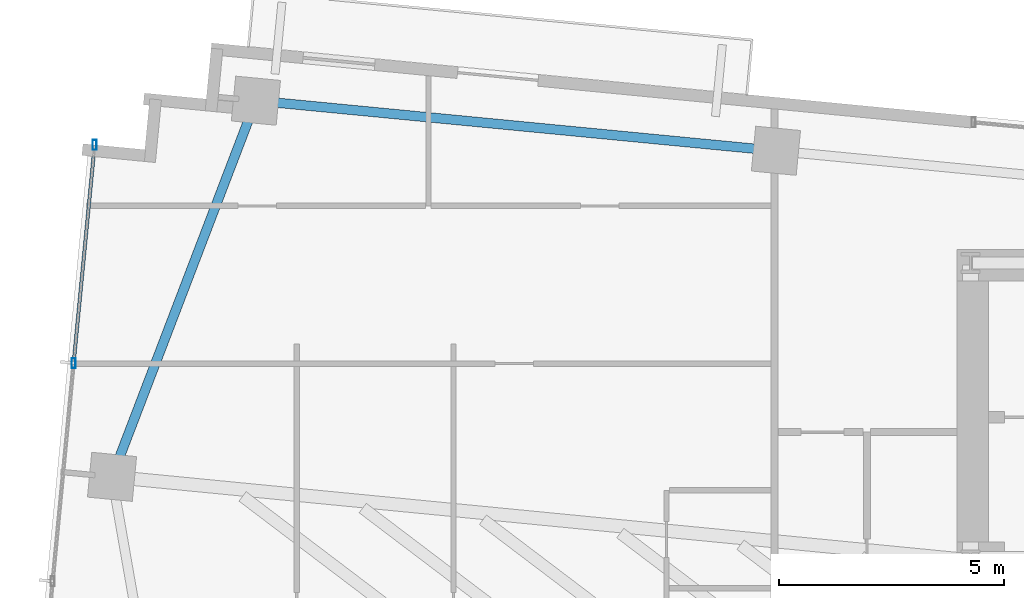
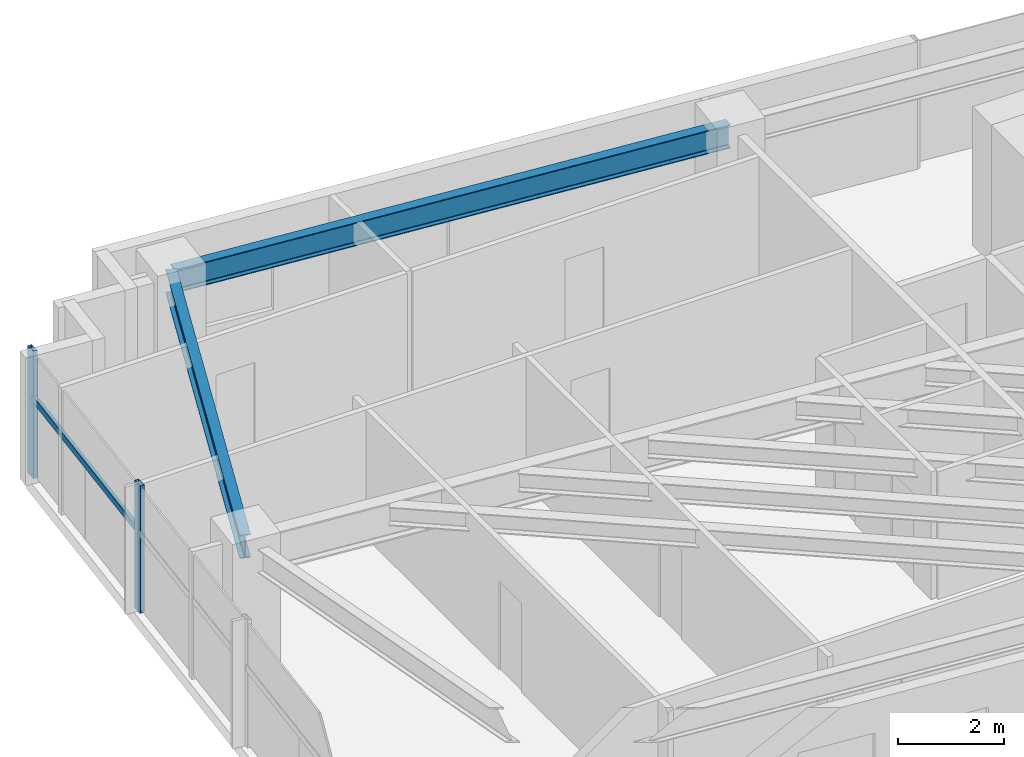
# One storey, part 6 of 19: 3 members, 2 beams, 1 element without a shape of its own.
"""IFC4 building model written with IfcOpenShell, lengths in metres."""

import ifcopenshell
import ifcopenshell.guid

model = None  # the IFC model being written
_history = None  # IfcOwnerHistory: only IFC2X3 demands one
_inside = {}  # id of a spatial element -> (the spatial element, [elements in it])
_under = {}  # id of a project, library or spatial element -> (it, [spatial elements below it])
_declared = {}  # id of a project -> (the project, [libraries it declares])
_typed = {}  # id of a type object -> (the type object, [elements of that type])
_made_of = {}  # id of a material, layer set ... -> (it, [elements and type objects made of it])


def new_model(schema):
    """Start an empty IFC model of exactly this schema.

    Asked for "IFC4X3", IfcOpenShell would pick the latest addendum, in which some entities
    have other attributes; the version numbers below select the first issue.
    IFC2X3 requires an IfcOwnerHistory on every rooted entity: one is made here for all.
    """
    global model, _history
    if schema == "IFC4X3":
        model = ifcopenshell.file(schema_version=(4, 3, 0, 0))
    else:
        model = ifcopenshell.file(schema=schema)
    _inside.clear()
    _under.clear()
    _declared.clear()
    _typed.clear()
    _made_of.clear()
    _history = None
    if model.schema == "IFC2X3":
        org = make("IfcOrganization", Name="unknown")
        user = make(
            "IfcPersonAndOrganization",
            ThePerson=make("IfcPerson", FamilyName="unknown"),
            TheOrganization=org,
        )
        app = make(
            "IfcApplication",
            ApplicationDeveloper=org,
            Version="unknown",
            ApplicationFullName="unknown",
            ApplicationIdentifier="unknown",
        )
        _history = make(
            "IfcOwnerHistory",
            OwningUser=user,
            OwningApplication=app,
            ChangeAction="ADDED",
            CreationDate=0,
        )
    return model


def make(cls, **values):
    """One entity of the class cls with the attributes given. An attribute that is None is left unset."""
    return model.create_entity(
        cls, **{name: value for name, value in values.items() if value is not None}
    )


def rooted(cls, **values):
    """An entity with a GlobalId (a new one), such as an element, a storey or a relation."""
    return make(cls, GlobalId=ifcopenshell.guid.new(), OwnerHistory=_history, **values)


def si_unit(unit_type, name, prefix=None):
    """IfcSIUnit, for example si_unit("LENGTHUNIT", "METRE", prefix="MILLI")."""
    return make("IfcSIUnit", UnitType=unit_type, Prefix=prefix, Name=name)


def assignment(units):
    """IfcUnitAssignment: the units of a project."""
    return None if units is None else make("IfcUnitAssignment", Units=units)


def point(xyz):
    """IfcCartesianPoint."""
    return None if xyz is None else make("IfcCartesianPoint", Coordinates=xyz)


def direction(xyz):
    """IfcDirection."""
    return None if xyz is None else make("IfcDirection", DirectionRatios=xyz)


def frame(location, z_axis=None, x_axis=None):
    """IfcAxis2Placement3D, a coordinate frame: its origin and axes. An axis left out is left unset."""
    return make(
        "IfcAxis2Placement3D",
        Location=point(location),
        Axis=direction(z_axis),
        RefDirection=direction(x_axis),
    )


def frame_2d(location, x_axis=None):
    """IfcAxis2Placement2D, a coordinate frame in the plane: its origin and x axis."""
    return make(
        "IfcAxis2Placement2D", Location=point(location), RefDirection=direction(x_axis)
    )


def origin():
    """The frame at (0, 0, 0) with its axes left unset."""
    return frame((0.0, 0.0, 0.0))


def origin_2d():
    """The frame at (0, 0) in the plane with its x axis left unset."""
    return frame_2d((0.0, 0.0))


def place(relative_to, where):
    """IfcLocalPlacement: puts the frame where relative to a parent placement (None: the world)."""
    return make(
        "IfcLocalPlacement", PlacementRelTo=relative_to, RelativePlacement=where
    )


def context(
    kind, dimensions, precision=None, world=None, true_north=None, identifier=None
):
    """IfcGeometricRepresentationContext, for example the 3D "Model" context."""
    return make(
        "IfcGeometricRepresentationContext",
        ContextIdentifier=identifier,
        ContextType=kind,
        CoordinateSpaceDimension=dimensions,
        Precision=precision,
        WorldCoordinateSystem=world,
        TrueNorth=true_north,
    )


def subcontext(parent, identifier, kind, view, scale=None):
    """IfcGeometricRepresentationSubContext, for example "Body" below "Model"."""
    return make(
        "IfcGeometricRepresentationSubContext",
        ContextIdentifier=identifier,
        ContextType=kind,
        ParentContext=parent,
        TargetScale=scale,
        TargetView=view,
    )


def project(units=None, contexts=None):
    """IfcProject with its units and contexts."""
    return rooted(
        "IfcProject",
        Name="project",
        RepresentationContexts=contexts,
        UnitsInContext=assignment(units),
    )


def spatial(cls, under=None, at=None, **own):
    """A site, building, storey or space (cls), placed at a placement, below another one or the project."""
    s = rooted(cls, ObjectPlacement=at, **own)
    if under is not None:
        _under.setdefault(under.id(), (under, []))[1].append(s)
    return s


def profile(cls, at=None, kind="AREA", **sizes):
    """A parametric profile (cls). Its sizes go by their IFC names, for example OverallWidth=200.0."""
    return make(cls, ProfileType=kind, Position=at, **sizes)


def hollow_rectangle(**sizes):
    """IfcRectangleHollowProfileDef."""
    return profile("IfcRectangleHollowProfileDef", **sizes)


def i_section(**sizes):
    """IfcIShapeProfileDef."""
    return profile("IfcIShapeProfileDef", **sizes)


def extrude(swept, where, along, depth):
    """IfcExtrudedAreaSolid: the profile swept, set in the frame where, extruded along a direction by depth."""
    return make(
        "IfcExtrudedAreaSolid",
        SweptArea=swept,
        Position=where,
        ExtrudedDirection=direction(along),
        Depth=depth,
    )


def shape(context_of_items, identifier, shape_type, items):
    """IfcShapeRepresentation: the items that make up one representation, for example the "Body"."""
    return make(
        "IfcShapeRepresentation",
        ContextOfItems=context_of_items,
        RepresentationIdentifier=identifier,
        RepresentationType=shape_type,
        Items=items,
    )


def source(mapping_origin, context_of_items, identifier, shape_type, items):
    """IfcRepresentationMap: a shape defined once, which mapped items show again and again."""
    return make(
        "IfcRepresentationMap",
        MappingOrigin=mapping_origin,
        MappedRepresentation=shape(context_of_items, identifier, shape_type, items),
    )


def transform(
    local_origin,
    x_axis=None,
    y_axis=None,
    z_axis=None,
    scale=None,
    scale2=None,
    scale3=None,
    uniform=True,
):
    """IfcCartesianTransformationOperator3D, or its non-uniform kind. x_axis, y_axis, z_axis: its Axis1, 2, 3."""
    if uniform:
        return make(
            "IfcCartesianTransformationOperator3D",
            Axis1=direction(x_axis),
            Axis2=direction(y_axis),
            LocalOrigin=point(local_origin),
            Scale=scale,
            Axis3=direction(z_axis),
        )
    return make(
        "IfcCartesianTransformationOperator3DnonUniform",
        Axis1=direction(x_axis),
        Axis2=direction(y_axis),
        LocalOrigin=point(local_origin),
        Scale=scale,
        Axis3=direction(z_axis),
        Scale2=scale2,
        Scale3=scale3,
    )


def mapped(mapping_source, mapping_target):
    """IfcMappedItem: shows the shape of a source again, moved by a transform."""
    return make(
        "IfcMappedItem", MappingSource=mapping_source, MappingTarget=mapping_target
    )


def material(Name=None, Category=None):
    """IfcMaterial."""
    return make("IfcMaterial", Name=Name, Category=Category)


def material_profile(
    of_material, cross_section, Name=None, Category=None, Priority=None
):
    """IfcMaterialProfile: a cross section and its material."""
    return make(
        "IfcMaterialProfile",
        Name=Name,
        Material=of_material,
        Profile=cross_section,
        Priority=Priority,
        Category=Category,
    )


def profile_set(profiles, Name=None, composite=None):
    """IfcMaterialProfileSet."""
    return make(
        "IfcMaterialProfileSet",
        Name=Name,
        MaterialProfiles=profiles,
        CompositeProfile=composite,
    )


def made_of(thing, what):
    """Note that an element or type object is made of a material, layer set ...; save() writes the relation."""
    if what is not None:
        _made_of.setdefault(what.id(), (what, []))[1].append(thing)
    return thing


def type_object(cls, material=None, **own):
    """A type object (cls), such as IfcWallType, which elements share."""
    return made_of(rooted(cls, **own), material)


def type_shapes(of_type, sources):
    """Give a type object the sources (RepresentationMaps) that its elements show as mapped items."""
    of_type.RepresentationMaps = sources


def element(
    cls,
    number,
    at=None,
    inside=None,
    cuts=None,
    type_object=None,
    material=None,
    context=None,
    identifier="Body",
    shape_type=None,
    held_by="IfcProductDefinitionShape",
    body=None,
    shapes=None,
    **own,
):
    """One element of the class cls, such as IfcWall. Its Tag is "e" and its number.

    at: its placement. inside: the storey or other place that contains it. cuts: it is an
    opening in that element (IfcRelVoidsElement). A single representation is given by context,
    identifier, shape_type and body (its items); several are given by shapes. held_by: the class
    of the entity that holds the representations. save() writes the other relations.
    """
    e = rooted(cls, Tag="e%d" % number, ObjectPlacement=at, **own)
    if body is not None:
        shapes = [shape(context, identifier, shape_type, body)]
    if shapes is not None:
        e.Representation = make(held_by, Representations=shapes)
    if inside is not None:
        _inside.setdefault(inside.id(), (inside, []))[1].append(e)
    if cuts is not None:
        rooted(
            "IfcRelVoidsElement", RelatingBuildingElement=cuts, RelatedOpeningElement=e
        )
    if type_object is not None:
        _typed.setdefault(type_object.id(), (type_object, []))[1].append(e)
    return made_of(e, material)


def aggregate(whole, parts):
    """IfcRelAggregates: a whole, such as a stair, and the parts it consists of."""
    return rooted("IfcRelAggregates", RelatingObject=whole, RelatedObjects=parts)


def save(model, path):
    """Write the relations noted so far, then the file.

    IfcRelAggregates (storeys below a building ...), IfcRelContainedInSpatialStructure (elements
    in a storey), IfcRelDefinesByType, IfcRelAssociatesMaterial and IfcRelDeclares: one each for
    every whole, place, type object, material and project.
    """
    for whole, parts in _under.values():
        aggregate(whole, parts)
    for where, things in _inside.values():
        rooted(
            "IfcRelContainedInSpatialStructure",
            RelatedElements=things,
            RelatingStructure=where,
        )
    for kind, things in _typed.values():
        rooted("IfcRelDefinesByType", RelatedObjects=things, RelatingType=kind)
    for what, things in _made_of.values():
        rooted("IfcRelAssociatesMaterial", RelatedObjects=things, RelatingMaterial=what)
    for by, libraries in _declared.values():
        rooted("IfcRelDeclares", RelatingContext=by, RelatedDefinitions=libraries)
    model.write(path)


model = new_model("IFC4")

# Units and contexts
model_context = context("Model", 3, precision=1e-05, world=origin(), true_north=direction((0.0, 1.0)))
body_context = subcontext(model_context, "Body", "Model", "MODEL_VIEW")
ifc_project = project(units=[si_unit("LENGTHUNIT", "METRE"), si_unit("AREAUNIT", "SQUARE_METRE"), si_unit("VOLUMEUNIT", "CUBIC_METRE"), si_unit("PLANEANGLEUNIT", "RADIAN"), si_unit("MASSUNIT", "GRAM", prefix="KILO")], contexts=[model_context])

# Site, building, storey
site_placement = place(None, origin())
site = spatial("IfcSite", under=ifc_project, at=site_placement, CompositionType="ELEMENT")
building_placement = place(site_placement, origin())
building = spatial("IfcBuilding", under=site, at=building_placement, Name="Astriad Promenade Condominiums", CompositionType="ELEMENT")
storey_placement = place(building_placement, frame((0.0, 0.0, 140.60009765625)))
storey = spatial("IfcBuildingStorey", under=building, at=storey_placement, Name="L40", CompositionType="ELEMENT", Elevation=140.60009765625)

# Beams
ifc_material_1 = material(Name="Steel ASTM A992 Grade 50", Category="steel")
ifc_material_profile_1 = material_profile(ifc_material_1, i_section(OverallWidth=0.210693359375, OverallDepth=0.53955078125, WebThickness=0.01171875, FlangeThickness=0.018798828125, FilletRadius=0.0166015625, at=origin_2d()), Name="W21X73")
ifc_profile_set_1 = profile_set([ifc_material_profile_1], Name="Steel ASTM A992 Grade 50")
beam_type = type_object("IfcBeamType", Name="STEEL SPANDREL BEAM W21X73", PredefinedType="SPANDREL", material=ifc_profile_set_1)
shared_shape_1 = source(origin(), body_context, "Body", "SweptSolid", [
    extrude(i_section(OverallWidth=0.210693359375, OverallDepth=0.53955078125, WebThickness=0.01171875, FlangeThickness=0.018798828125, FilletRadius=0.0166015625, at=origin_2d()), origin(), (0.0, 0.0, 1.0), 11.52001953125),
])
beam_1_placement = place(storey_placement, frame((22.039794921875, 26.495849609375, 2.670166015625), z_axis=(-0.9953953902, 0.095854145285, 0.0), x_axis=(-0.095854145285, -0.9953953902, 0.0)))
element("IfcBeam", 1, at=beam_1_placement, inside=storey, type_object=beam_type, Name="Perimeter Spandrel Beam SP-N1-L40", PredefinedType="SPANDREL", context=body_context, shape_type="MappedRepresentation", body=[
    mapped(shared_shape_1, transform((0.0, 0.0, 0.0), scale=1.0)),
])
shared_shape_2 = source(origin(), body_context, "Body", "SweptSolid", [
    extrude(i_section(OverallWidth=0.210693359375, OverallDepth=0.53955078125, WebThickness=0.01171875, FlangeThickness=0.018798828125, FilletRadius=0.0166015625, at=origin_2d()), origin(), (0.0, 0.0, 1.0), 8.862548828125),
])
type_shapes(beam_type, [shared_shape_1, shared_shape_2])
beam_2_placement = place(storey_placement, frame((10.518798828125, 27.56640625, 2.670166015625), z_axis=(-0.357322663703, -0.933981003021, 0.0), x_axis=(0.933981003021, -0.357322663703, 0.0)))
element("IfcBeam", 2, at=beam_2_placement, inside=storey, type_object=beam_type, Name="Perimeter Spandrel Beam SP-W2-L40", PredefinedType="SPANDREL", context=body_context, shape_type="MappedRepresentation", body=[
    mapped(shared_shape_2, transform((0.0, 0.0, 0.0), scale=1.0)),
])

# Curtain wall, members
ifc_material_2 = material(Name="Anodised aluminium Black Dark Glass Unitised", Category="aluminium")
curtain_wall_type = type_object("IfcCurtainWallType", Name="CW-B34-DARK", PredefinedType="USERDEFINED", material=ifc_material_2)
curtain_wall_placement = place(storey_placement, origin())
curtain_wall = element("IfcCurtainWall", 3, at=curtain_wall_placement, inside=storey, type_object=curtain_wall_type, Name="CW-L40-W", ObjectType="UNITISED_CURTAIN_WALL", PredefinedType="USERDEFINED")
ifc_material_3 = material(Name="Anodised aluminium 6063-T6 Black", Category="aluminium")
ifc_material_profile_2 = material_profile(ifc_material_3, hollow_rectangle(XDim=0.0849609375, YDim=0.219970703125, WallThickness=0.0048828125, at=origin_2d()), Name="ALU-MUL-85X220")
ifc_profile_set_2 = profile_set([ifc_material_profile_2], Name="Anodised aluminium 6063-T6 Black")
member_type_1 = type_object("IfcMemberType", Name="MUL-ALU-MUL-85X220", PredefinedType="MULLION", material=ifc_profile_set_2)
shared_shape_3 = source(origin(), body_context, "Body", "SweptSolid", [
    extrude(hollow_rectangle(XDim=0.0849609375, YDim=0.219970703125, WallThickness=0.0048828125, at=origin_2d()), origin(), (0.0, 0.0, 1.0), 2.93994140625),
])
type_shapes(member_type_1, [shared_shape_3])
member_1_placement = place(storey_placement, frame((6.486083984375, 21.7783203125, 0.0), z_axis=(0.0, 0.0, 1.0), x_axis=(1.0, 0.0, 0.0)))
member_1 = element("IfcMember", 4, at=member_1_placement, type_object=member_type_1, Name="CW-L40-W-MUL-02", PredefinedType="MULLION", context=body_context, shape_type="MappedRepresentation", body=[
    mapped(shared_shape_3, transform((0.0, 0.0, 0.0), scale=1.0)),
])
member_2_placement = place(storey_placement, frame((6.952392578125, 26.62255859375, 0.0), z_axis=(0.0, 0.0, 1.0), x_axis=(1.0, 0.0, 0.0)))
member_2 = element("IfcMember", 5, at=member_2_placement, type_object=member_type_1, Name="CW-L40-W-MUL-03", PredefinedType="MULLION", context=body_context, shape_type="MappedRepresentation", body=[
    mapped(shared_shape_3, transform((0.0, 0.0, 0.0), scale=1.0)),
])
ifc_material_profile_3 = material_profile(ifc_material_3, hollow_rectangle(XDim=0.074951171875, YDim=0.14990234375, WallThickness=0.004150390625, at=origin_2d()), Name="ALU-TRN-75X150")
ifc_profile_set_3 = profile_set([ifc_material_profile_3], Name="Anodised aluminium 6063-T6 Black")
member_type_2 = type_object("IfcMemberType", Name="TRN-ALU-TRN-75X150", PredefinedType="USERDEFINED", material=ifc_profile_set_3)
shared_shape_4 = source(origin(), body_context, "Body", "SweptSolid", [
    extrude(hollow_rectangle(XDim=0.074951171875, YDim=0.14990234375, WallThickness=0.004150390625, at=origin_2d()), origin(), (0.0, 0.0, 1.0), 4.86669921875),
])
type_shapes(member_type_2, [shared_shape_4])
member_3_placement = place(storey_placement, frame((6.486083984375, 21.7783203125, 1.82275390625), z_axis=(0.095817554883, 0.995398913088, 0.0), x_axis=(-0.995398913088, 0.095817554883, 0.0)))
member_3 = element("IfcMember", 6, at=member_3_placement, type_object=member_type_2, Name="CW-L40-W-TRN-02-0", ObjectType="TRANSOM", PredefinedType="USERDEFINED", context=body_context, shape_type="MappedRepresentation", body=[
    mapped(shared_shape_4, transform((0.0, 0.0, 0.0), scale=1.0)),
])
aggregate(curtain_wall, [member_1, member_2, member_3])

save(model, "model.ifc")
